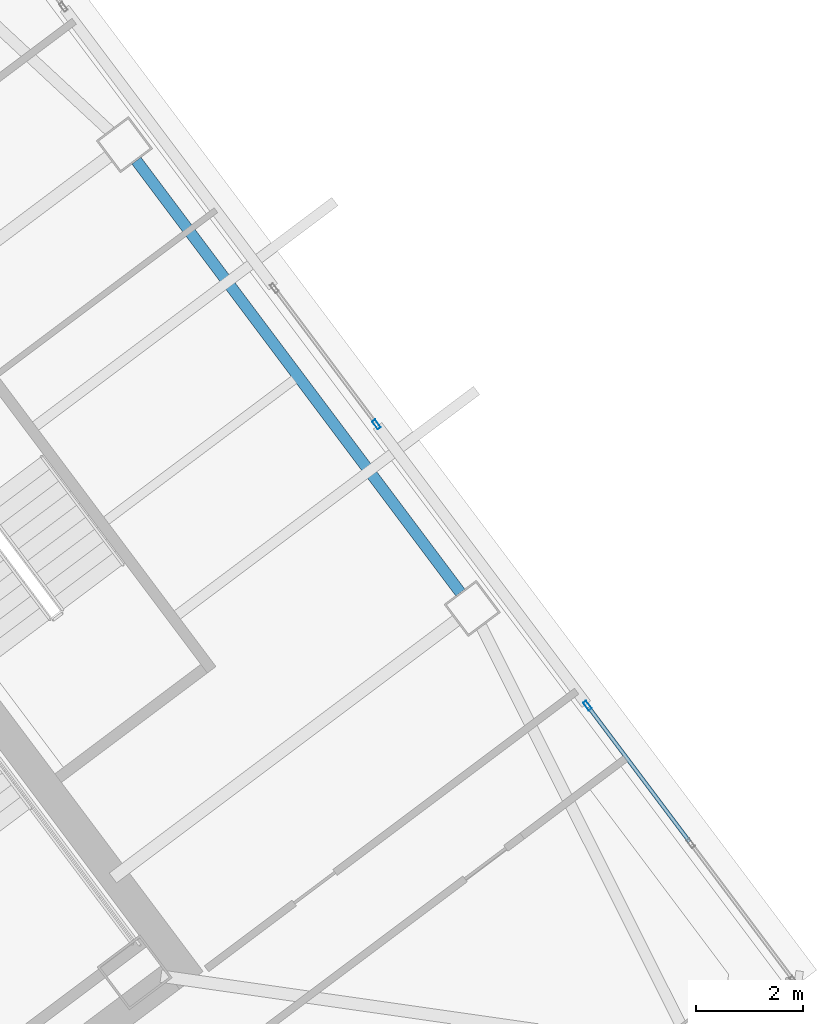
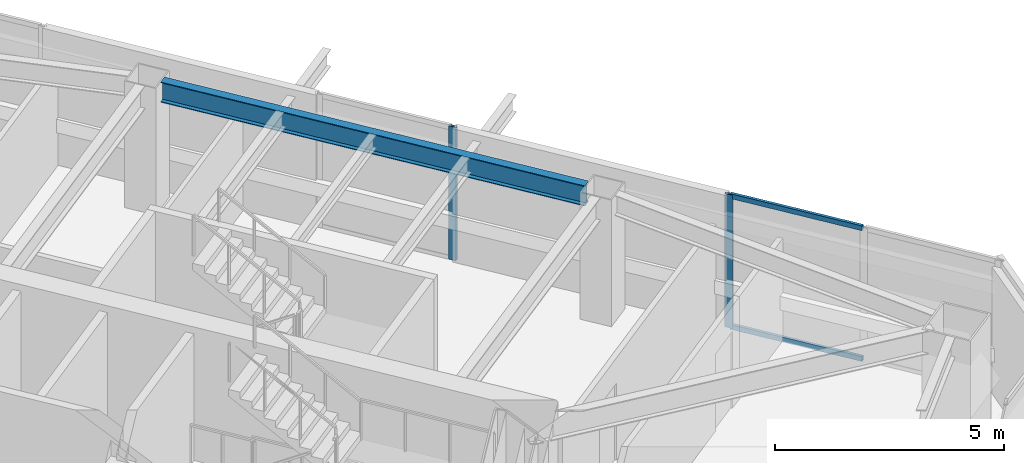
# One storey, part 28 of 44: 4 members, 1 beam, 2 elements without a shape of their own.
"""IFC4 building model written with IfcOpenShell, lengths in metres."""

from ifc_helpers import new_model, si_unit, direction, frame, origin, origin_2d, place, context, subcontext, project, spatial, hollow_rectangle, i_section, extrude, material, material_profile, profile_set, type_object, element, aggregate, save


model = new_model("IFC4")

# Units and contexts
model_context = context("Model", 3, precision=1e-05, world=origin(), true_north=direction((0.0, 1.0)))
body_context = subcontext(model_context, "Body", "Model", "MODEL_VIEW")
ifc_project = project(units=[si_unit("LENGTHUNIT", "METRE"), si_unit("AREAUNIT", "SQUARE_METRE"), si_unit("VOLUMEUNIT", "CUBIC_METRE"), si_unit("PLANEANGLEUNIT", "RADIAN"), si_unit("MASSUNIT", "GRAM", prefix="KILO")], contexts=[model_context])

# Site, building, storey
site_placement = place(None, origin())
site = spatial("IfcSite", under=ifc_project, at=site_placement, CompositionType="ELEMENT")
building_placement = place(site_placement, origin())
building = spatial("IfcBuilding", under=site, at=building_placement, Name="Tashvorn Skyway Center", CompositionType="ELEMENT")
storey_placement = place(building_placement, frame((0.0, 0.0, 181.85009765625)))
storey = spatial("IfcBuildingStorey", under=building, at=storey_placement, Name="L49", CompositionType="ELEMENT", Elevation=181.85009765625)

# Beam
ifc_material_1 = material(Name="Steel ASTM A992 Grade 50", Category="steel")
ifc_material_profile_1 = material_profile(ifc_material_1, i_section(OverallWidth=0.2109375, OverallDepth=0.5390625, WebThickness=0.01171875, FlangeThickness=0.018798828125, at=origin_2d()), Name="W21X73")
ifc_profile_set_1 = profile_set([ifc_material_profile_1], Name="Steel ASTM A992 Grade 50")
beam_type = type_object("IfcBeamType", Name="BM-SPANDREL-W21X73", PredefinedType="SPANDREL", material=ifc_profile_set_1)
beam_placement = place(storey_placement, frame((129.93798828125, 37.666015625, 3.100341796875), z_axis=(-0.599988351091, 0.800008736549, 0.0), x_axis=(-0.800008736549, -0.599988351091, 0.0)))
element("IfcBeam", 1, at=beam_placement, inside=storey, type_object=beam_type, Name="Tower 2 L49 Spandrel Beam 05", PredefinedType="SPANDREL", context=body_context, shape_type="SweptSolid", body=[
    extrude(i_section(OverallWidth=0.2109375, OverallDepth=0.5390625, WebThickness=0.01171875, FlangeThickness=0.018798828125, at=origin_2d()), origin(), (0.0, 0.0, 1.0), 10.06005859375),
])

# Curtain wall, member
ifc_material_2 = material(Name="Thermally broken bronze-anodized aluminium 6063-T6", Category="aluminium")
curtain_wall_type = type_object("IfcCurtainWallType", Name="CW-CW-Z4", PredefinedType="NOTDEFINED", material=ifc_material_2)
curtain_wall_1_placement = place(storey_placement, origin())
curtain_wall_1 = element("IfcCurtainWall", 2, at=curtain_wall_1_placement, inside=storey, type_object=curtain_wall_type, Name="Tower 2 L49 East Unitised Curtain Wall Glazing Group 2", PredefinedType="NOTDEFINED")
ifc_material_profile_2 = material_profile(ifc_material_2, hollow_rectangle(XDim=0.070068359375, YDim=0.179931640625, WallThickness=0.00390625, at=origin_2d()), Name="ALU-MULL-70x180")
ifc_profile_set_2 = profile_set([ifc_material_profile_2], Name="Thermally broken bronze-anodized aluminium 6063-T6")
member_type_1 = type_object("IfcMemberType", Name="CWM-CW-Z4", PredefinedType="MULLION", material=ifc_profile_set_2)
member_1_placement = place(storey_placement, frame((128.375, 40.800048828125, 0.0), z_axis=(0.0, 0.0, 1.0), x_axis=(0.799999999998, 0.600000000002, 0.0)))
member_1 = element("IfcMember", 3, at=member_1_placement, type_object=member_type_1, Name="CW-Z4 mullion 2", PredefinedType="MULLION", context=body_context, shape_type="SweptSolid", body=[
    extrude(hollow_rectangle(XDim=0.070068359375, YDim=0.179931640625, WallThickness=0.00390625, at=origin_2d()), origin(), (0.0, 0.0, 1.0), 3.5498046875),
])
aggregate(curtain_wall_1, [member_1])

# Curtain wall, members
curtain_wall_2_placement = place(storey_placement, origin())
curtain_wall_2 = element("IfcCurtainWall", 4, at=curtain_wall_2_placement, inside=storey, type_object=curtain_wall_type, Name="Tower 2 L49 East Unitised Curtain Wall Glazing Group 3", PredefinedType="NOTDEFINED")
member_2_placement = place(storey_placement, frame((132.304931640625, 35.56005859375, 0.0), z_axis=(0.0, 0.0, 1.0), x_axis=(0.799999999998, 0.600000000002, 0.0)))
member_2 = element("IfcMember", 5, at=member_2_placement, type_object=member_type_1, Name="CW-Z4 mullion 1", PredefinedType="MULLION", context=body_context, shape_type="SweptSolid", body=[
    extrude(hollow_rectangle(XDim=0.070068359375, YDim=0.179931640625, WallThickness=0.00390625, at=origin_2d()), origin(), (0.0, 0.0, 1.0), 3.5498046875),
])
ifc_material_profile_3 = material_profile(ifc_material_2, hollow_rectangle(XDim=0.070068359375, YDim=0.1298828125, WallThickness=0.00390625, at=origin_2d()), Name="ALU-TRAN-70x130")
ifc_profile_set_3 = profile_set([ifc_material_profile_3], Name="Thermally broken bronze-anodized aluminium 6063-T6")
member_type_2 = type_object("IfcMemberType", Name="CWT-CW-Z4", PredefinedType="USERDEFINED", material=ifc_profile_set_3)
member_3_placement = place(storey_placement, frame((132.325927734375, 35.531982421875, 0.034912109375), z_axis=(0.600012459628, -0.799990655127, 0.0), x_axis=(0.799990655127, 0.600012459628, 0.0)))
member_3 = element("IfcMember", 6, at=member_3_placement, type_object=member_type_2, Name="CW-Z4 transom 1.1", ObjectType="TRANSOM", PredefinedType="USERDEFINED", context=body_context, shape_type="SweptSolid", body=[
    extrude(hollow_rectangle(XDim=0.070068359375, YDim=0.1298828125, WallThickness=0.00390625, at=origin_2d()), origin(), (0.0, 0.0, 1.0), 3.135009765625),
])
member_4_placement = place(storey_placement, frame((132.325927734375, 35.531982421875, 3.514892578125), z_axis=(0.600012459628, -0.799990655127, 0.0), x_axis=(0.799990655127, 0.600012459628, 0.0)))
member_4 = element("IfcMember", 7, at=member_4_placement, type_object=member_type_2, Name="CW-Z4 transom 1.2", ObjectType="TRANSOM", PredefinedType="USERDEFINED", context=body_context, shape_type="SweptSolid", body=[
    extrude(hollow_rectangle(XDim=0.070068359375, YDim=0.1298828125, WallThickness=0.00390625, at=origin_2d()), origin(), (0.0, 0.0, 1.0), 3.135009765625),
])
aggregate(curtain_wall_2, [member_2, member_3, member_4])

save(model, "model.ifc")
